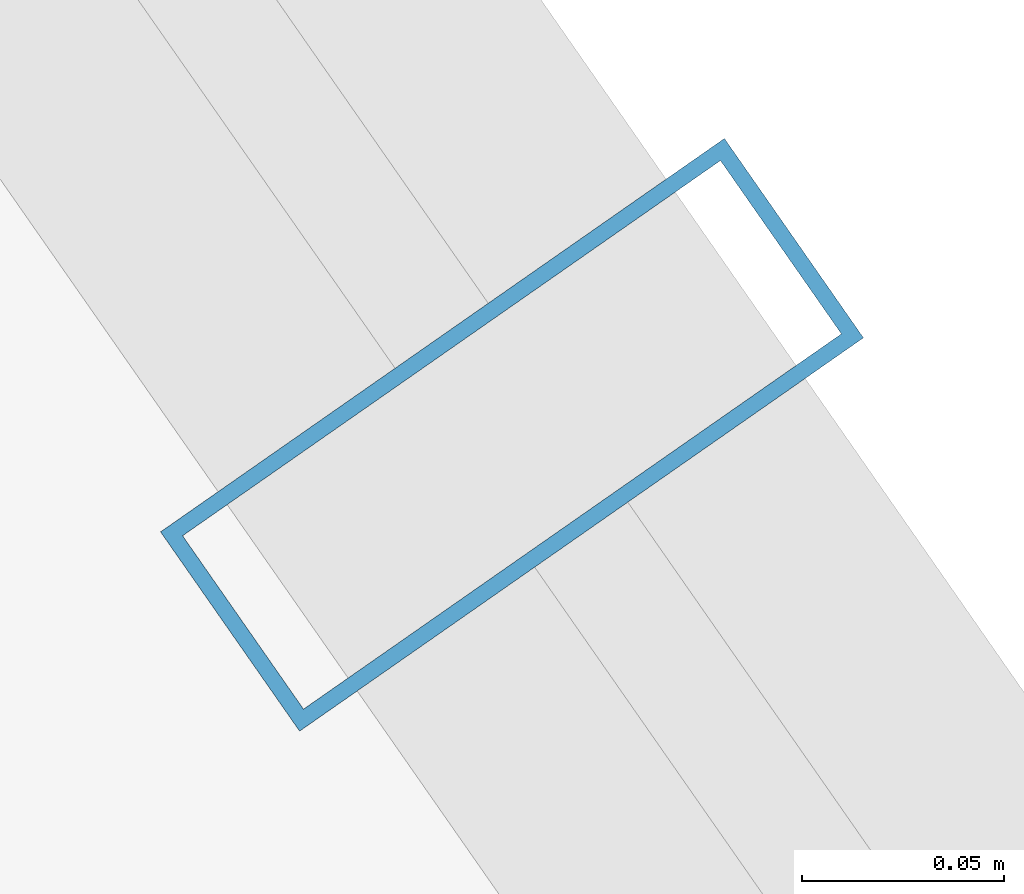
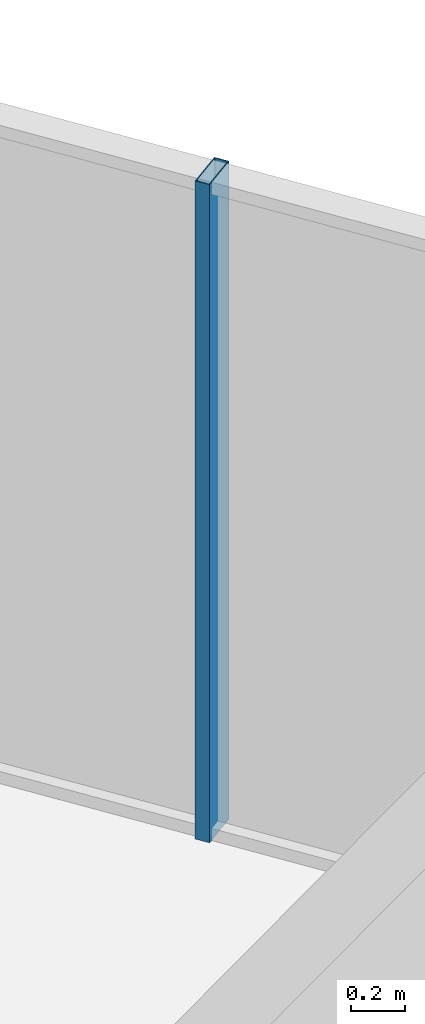
# One storey, part 29 of 37: 1 member, 1 element without a shape of its own.
"""IFC4 building model written with IfcOpenShell, lengths in metres."""

from ifc_helpers import new_model, si_unit, direction, frame, origin, origin_2d, place, context, subcontext, project, spatial, hollow_rectangle, extrude, source, transform, mapped, material, layer, layer_set, material_profile, profile_set, type_object, element, aggregate, save


model = new_model("IFC4")

# Units and contexts
model_context = context("Model", 3, precision=1e-05, world=origin(), true_north=direction((0.0, 1.0)))
body_context = subcontext(model_context, "Body", "Model", "MODEL_VIEW")
ifc_project = project(units=[si_unit("LENGTHUNIT", "METRE"), si_unit("AREAUNIT", "SQUARE_METRE"), si_unit("VOLUMEUNIT", "CUBIC_METRE"), si_unit("PLANEANGLEUNIT", "RADIAN"), si_unit("MASSUNIT", "GRAM", prefix="KILO")], contexts=[model_context])

# Site, building, storey
site_placement = place(None, origin())
site = spatial("IfcSite", under=ifc_project, at=site_placement, CompositionType="ELEMENT")
building_placement = place(site_placement, origin())
building = spatial("IfcBuilding", under=site, at=building_placement, Name="Veraguas Prism Commons", CompositionType="ELEMENT")
storey_placement = place(building_placement, frame((0.0, 0.0, 40.300048828125)))
storey = spatial("IfcBuildingStorey", under=building, at=storey_placement, Name="L10", CompositionType="ELEMENT", Elevation=40.300048828125)

# Curtain wall, member
ifc_material = material(Name="Anodised aluminium EN AW-6063 T6", Category="aluminium")
ifc_layer = layer(ifc_material, 0.169921875, Name="Unitised Flush Curtain Wall Zone 1", Category="aluminium")
ifc_layer_set = layer_set([ifc_layer], Name="Anodised aluminium EN AW-6063 T6")
curtain_wall_type = type_object("IfcCurtainWallType", Name="Unitised Flush Curtain Wall Zone 1", PredefinedType="NOTDEFINED", material=ifc_layer_set)
curtain_wall_placement = place(storey_placement, origin())
curtain_wall = element("IfcCurtainWall", 1, at=curtain_wall_placement, inside=storey, type_object=curtain_wall_type, Name="Tower Facade Curtain Wall L10-F1", PredefinedType="NOTDEFINED")
ifc_material_profile = material_profile(ifc_material, hollow_rectangle(XDim=0.06005859375, YDim=0.169921875, WallThickness=0.00390625, at=origin_2d()), Name="AL60X170X4")
ifc_profile_set = profile_set([ifc_material_profile], Name="Anodised aluminium EN AW-6063 T6")
member_type = type_object("IfcMemberType", Name="Curtain Wall Mullion Lower AL 60x170x4", PredefinedType="MULLION", material=ifc_profile_set)
shared_shape = source(origin(), body_context, "Body", "SweptSolid", [
    extrude(hollow_rectangle(XDim=0.06005859375, YDim=0.169921875, WallThickness=0.00390625, at=origin_2d()), origin(), (0.0, 0.0, 1.0), 3.0),
])
member_placement = place(storey_placement, frame((41.046630859375, 35.891845703125, 0.0), z_axis=(0.0, 0.0, 1.0), x_axis=(-0.572145873446, 0.820151875874, 0.0)))
member = element("IfcMember", 2, at=member_placement, type_object=member_type, Name="CW-Z1 Mullion 3", PredefinedType="MULLION", context=body_context, shape_type="MappedRepresentation", body=[
    mapped(shared_shape, transform((0.0, 0.0, 0.0), scale=1.0)),
])
aggregate(curtain_wall, [member])

save(model, "model.ifc")
